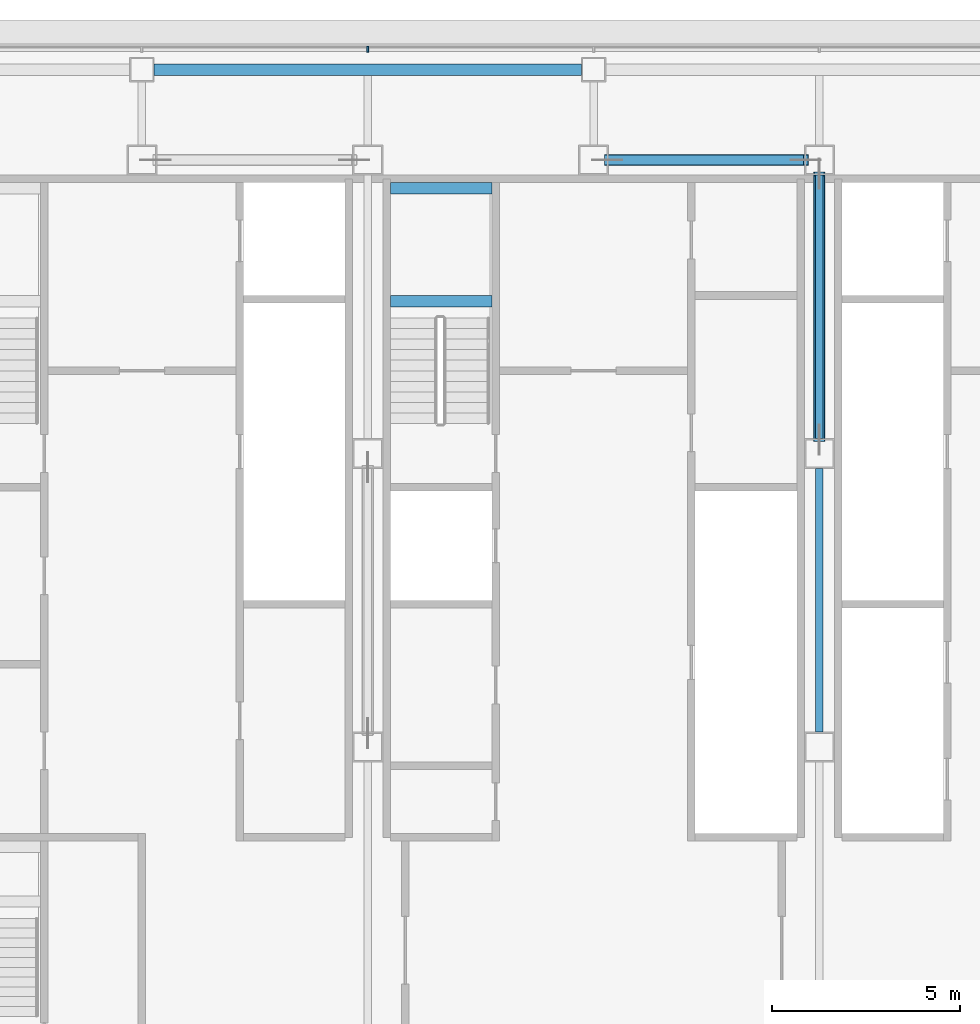
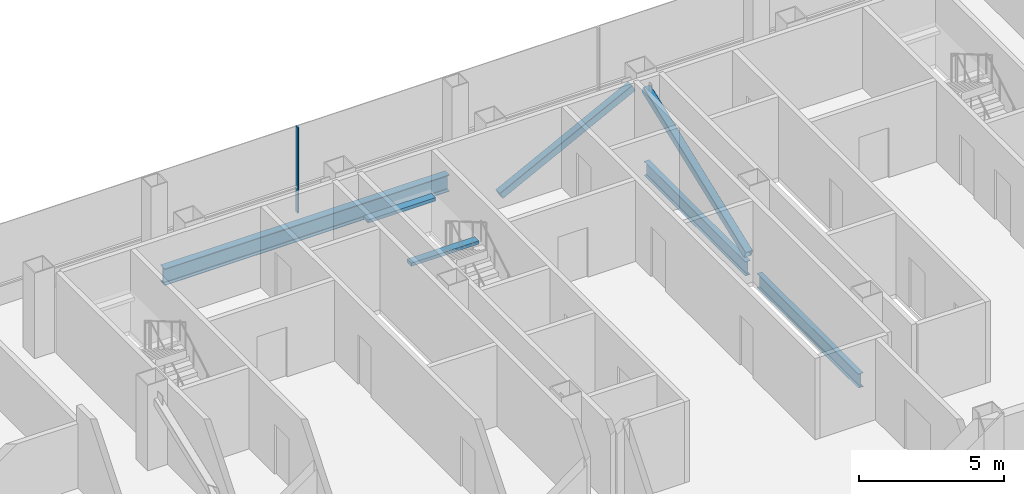
# One storey, part 13 of 27: 5 beams, 3 members, 1 element without a shape of its own.
"""IFC4 building model written with IfcOpenShell, lengths in metres."""

from ifc_helpers import new_model, si_unit, direction, frame, origin, origin_2d, place, context, subcontext, project, spatial, rectangle, hollow_rectangle, i_section, extrude, material, material_profile, profile_set, type_object, element, aggregate, save


model = new_model("IFC4")

# Units and contexts
model_context = context("Model", 3, precision=1e-05, world=origin(), true_north=direction((0.0, 1.0)))
body_context = subcontext(model_context, "Body", "Model", "MODEL_VIEW")
ifc_project = project(units=[si_unit("LENGTHUNIT", "METRE"), si_unit("AREAUNIT", "SQUARE_METRE"), si_unit("VOLUMEUNIT", "CUBIC_METRE"), si_unit("PLANEANGLEUNIT", "RADIAN"), si_unit("MASSUNIT", "GRAM", prefix="KILO")], contexts=[model_context])

# Site, building, storey
site_placement = place(None, origin())
site = spatial("IfcSite", under=ifc_project, at=site_placement, CompositionType="ELEMENT")
building_placement = place(site_placement, origin())
building = spatial("IfcBuilding", under=site, at=building_placement, Name="Sorahane Residences", CompositionType="ELEMENT")
storey_placement = place(building_placement, frame((0.0, 0.0, 239.60009765625)))
storey = spatial("IfcBuildingStorey", under=building, at=storey_placement, Name="L56", CompositionType="ELEMENT", Elevation=239.60009765625)

# Members
ifc_material_1 = material(Name="Steel Q355B", Category="steel")
ifc_material_profile_1 = material_profile(ifc_material_1, hollow_rectangle(XDim=0.300048828125, YDim=0.300048828125, WallThickness=0.01611328125, InnerFilletRadius=0.008056640625, OuterFilletRadius=0.02392578125, at=origin_2d()), Name="RHS 300x300x16")
ifc_profile_set_1 = profile_set([ifc_material_profile_1], Name="Steel Q355B")
member_type_1 = type_object("IfcMemberType", Name="Core brace RHS 300x300x16 Q355B", PredefinedType="BRACE", material=ifc_profile_set_1)
member_1_placement = place(storey_placement, frame((24.35888671875, 45.60009765625, 0.12890625), z_axis=(0.889590046837, 0.0, 0.45675983686), x_axis=(0.0, 1.0, 0.0)))
element("IfcMember", 1, at=member_1_placement, inside=storey, type_object=member_type_1, Name="Core brace L56 y45.6-4", PredefinedType="BRACE", context=body_context, shape_type="SweptSolid", body=[
    extrude(hollow_rectangle(XDim=0.300048828125, YDim=0.300048828125, WallThickness=0.01611328125, InnerFilletRadius=0.008056640625, OuterFilletRadius=0.02392578125, at=origin_2d()), origin(), (0.0, 0.0, 1.0), 5.937744140625),
])
member_2_placement = place(storey_placement, frame((30.0, 38.16796875, 0.1376953125), z_axis=(0.0, 0.934346475268, 0.35636591329), x_axis=(-1.0, 0.0, 0.0)))
element("IfcMember", 2, at=member_2_placement, inside=storey, type_object=member_type_1, Name="Core brace L56 x30-2", PredefinedType="BRACE", context=body_context, shape_type="SweptSolid", body=[
    extrude(hollow_rectangle(XDim=0.300048828125, YDim=0.300048828125, WallThickness=0.01611328125, InnerFilletRadius=0.008056640625, OuterFilletRadius=0.02392578125, at=origin_2d()), origin(), (0.0, 0.0, 1.0), 7.560546875),
])

# Curtain wall, member
ifc_material_2 = material(Name="Dark low-e glass and black anodised aluminium", Category="aluminium")
curtain_wall_type = type_object("IfcCurtainWallType", Name="Curtain wall CW-1 Typical unitised wall", PredefinedType="NOTDEFINED", material=ifc_material_2)
curtain_wall_placement = place(storey_placement, origin())
curtain_wall = element("IfcCurtainWall", 3, at=curtain_wall_placement, inside=storey, type_object=curtain_wall_type, Name="CW-1 curtain wall L56 N1", PredefinedType="NOTDEFINED")
ifc_material_3 = material(Name="Black anodised aluminium", Category="aluminium")
ifc_material_profile_2 = material_profile(ifc_material_3, rectangle(XDim=0.159912109375, YDim=0.050048828125, at=origin_2d()), Name="Curtain wall mullion CW-1 black anodised aluminium 50x160")
ifc_profile_set_2 = profile_set([ifc_material_profile_2], Name="Black anodised aluminium")
member_type_2 = type_object("IfcMemberType", Name="Curtain wall mullion CW-1 black anodised aluminium 50x160", PredefinedType="MULLION", material=ifc_profile_set_2)
member_3_placement = place(storey_placement, frame((18.0, 48.5400390625, -0.18017578125), z_axis=(0.0, 0.0, 1.0), x_axis=(0.0, 1.0, 0.0)))
member_3 = element("IfcMember", 4, at=member_3_placement, type_object=member_type_2, Name="CW-1 mullion L56 N1.6", PredefinedType="MULLION", context=body_context, shape_type="SweptSolid", body=[
    extrude(rectangle(XDim=0.159912109375, YDim=0.050048828125, at=origin_2d()), origin(), (0.0, 0.0, 1.0), 3.60009765625),
])
aggregate(curtain_wall, [member_3])

# Beams
ifc_material_4 = material(Name="Concrete C40", Category="concrete")
ifc_material_profile_3 = material_profile(ifc_material_4, rectangle(XDim=0.300048828125, YDim=0.139892578125, at=origin_2d()), Name="300x140")
ifc_profile_set_3 = profile_set([ifc_material_profile_3], Name="Concrete C40")
beam_type_1 = type_object("IfcBeamType", Name="RC landing beam 300 x 140 Concrete C40", PredefinedType="BEAM", material=ifc_profile_set_3)
for number, where, z_axis, x_axis, name in (
    (5, (18.60009765625, 41.85009765625, 1.52978515625), (1.0, 0.0, 0.0), (0.0, 1.0, 0.0), "Landing beam"),
    (6, (18.60009765625, 44.85009765625, 1.52978515625), (1.0, 0.0, 0.0), (0.0, 1.0, 0.0), "Landing beam"),
):
    element("IfcBeam", number, at=place(storey_placement, frame(where, z_axis=z_axis, x_axis=x_axis)), inside=storey, type_object=beam_type_1, Name=name, PredefinedType="BEAM", context=body_context, shape_type="SweptSolid", body=[
        extrude(rectangle(XDim=0.300048828125, YDim=0.139892578125, at=origin_2d()), origin(), (0.0, 0.0, 1.0), 2.699951171875),
    ])
ifc_material_5 = material(Name="Steel Q355B", Category="steel")
ifc_material_profile_4 = material_profile(ifc_material_5, i_section(OverallWidth=0.199951171875, OverallDepth=0.60009765625, WebThickness=0.010986328125, FlangeThickness=0.01708984375, FilletRadius=0.02392578125, at=origin_2d()), Name="HN 600x200x11x17")
ifc_profile_set_4 = profile_set([ifc_material_profile_4], Name="Steel Q355B")
beam_type_2 = type_object("IfcBeamType", Name="Steel floor beam HN 600x200x11x17 Q355B", PredefinedType="BEAM", material=ifc_profile_set_4)
for number, where, z_axis, x_axis, name in (
    (7, (30.0, 30.39990234375, -0.47998046875), (0.0, 1.0, 0.0), (-1.0, 0.0, 0.0), "Beam L56 047"),
    (8, (30.0, 38.199951171875, -0.47998046875), (0.0, 1.0, 0.0), (-1.0, 0.0, 0.0), "Beam L56 048"),
):
    element("IfcBeam", number, at=place(storey_placement, frame(where, z_axis=z_axis, x_axis=x_axis)), inside=storey, type_object=beam_type_2, Name=name, PredefinedType="BEAM", context=body_context, shape_type="SweptSolid", body=[
        extrude(i_section(OverallWidth=0.199951171875, OverallDepth=0.60009765625, WebThickness=0.010986328125, FlangeThickness=0.01708984375, FilletRadius=0.02392578125, at=origin_2d()), origin(), (0.0, 0.0, 1.0), 7.0),
    ])
ifc_material_6 = material(Name="Steel Q355B", Category="steel")
ifc_material_profile_5 = material_profile(ifc_material_6, i_section(OverallWidth=0.300048828125, OverallDepth=0.699951171875, WebThickness=0.012939453125, FlangeThickness=0.02392578125, FilletRadius=0.028076171875, at=origin_2d()), Name="HN 700x300x13x24")
ifc_profile_set_5 = profile_set([ifc_material_profile_5], Name="Steel Q355B")
beam_type_3 = type_object("IfcBeamType", Name="Steel floor beam HN 700x300x13x24 Q355B", PredefinedType="BEAM", material=ifc_profile_set_5)
beam_placement = place(storey_placement, frame((12.324951171875, 48.0, -0.530029296875), z_axis=(1.0, 0.0, 0.0), x_axis=(0.0, 1.0, 0.0)))
element("IfcBeam", 9, at=beam_placement, inside=storey, type_object=beam_type_3, Name="Beam L56 017", PredefinedType="BEAM", context=body_context, shape_type="SweptSolid", body=[
    extrude(i_section(OverallWidth=0.300048828125, OverallDepth=0.699951171875, WebThickness=0.012939453125, FlangeThickness=0.02392578125, FilletRadius=0.028076171875, at=origin_2d()), origin(), (0.0, 0.0, 1.0), 11.35009765625),
])

save(model, "model.ifc")
